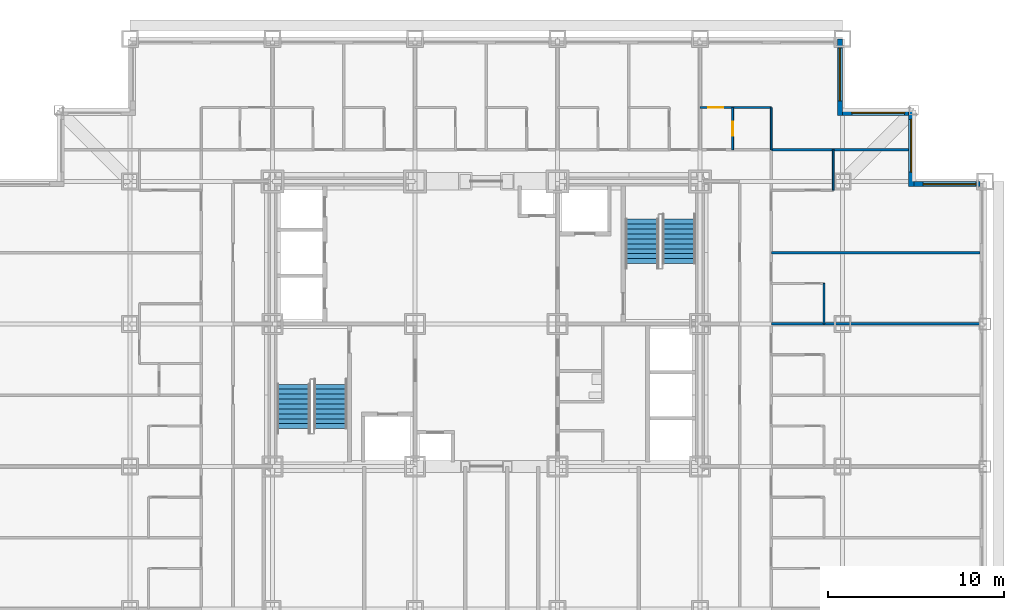
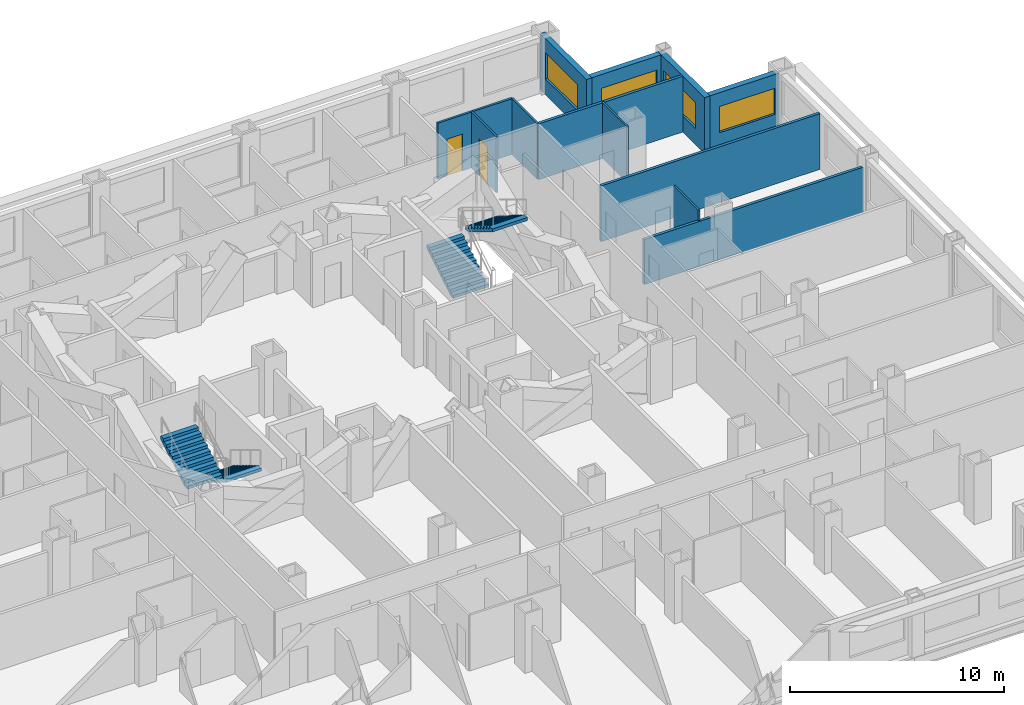
# One storey, part 10 of 12: 12 walls, 4 stair flights, 4 windows, 2 doors, 6 openings, 2 elements without a shape of their own.
"""IFC4 building model written with IfcOpenShell, lengths in metres."""

from ifc_helpers import new_model, si_unit, direction, frame, frame_2d, origin, place, context, subcontext, project, spatial, rectangle, extrude, polygons, source, transform, mapped, material, layer, layer_set, type_object, element, fill, aggregate, save


model = new_model("IFC4")

# Units and contexts
model_context = context("Model", 3, precision=1e-05, world=origin(), true_north=direction((0.0, 1.0)))
body_context = subcontext(model_context, "Body", "Model", "MODEL_VIEW")
ifc_project = project(units=[si_unit("LENGTHUNIT", "METRE"), si_unit("AREAUNIT", "SQUARE_METRE"), si_unit("VOLUMEUNIT", "CUBIC_METRE"), si_unit("PLANEANGLEUNIT", "RADIAN"), si_unit("MASSUNIT", "GRAM", prefix="KILO")], contexts=[model_context])

# Site, building, storey
site_placement = place(None, origin())
site = spatial("IfcSite", under=ifc_project, at=site_placement, CompositionType="ELEMENT")
building_placement = place(site_placement, origin())
building = spatial("IfcBuilding", under=site, at=building_placement, Name="Kopane Lantern Tower", CompositionType="ELEMENT")
storey_placement = place(building_placement, frame((0.0, 0.0, 53.39990234375)))
storey = spatial("IfcBuildingStorey", under=building, at=storey_placement, Name="L12", CompositionType="ELEMENT", Elevation=53.39990234375)

# Wall, opening, door
ifc_material_1 = material(Name="Gypsum board on steel studs", Category="steel")
ifc_layer_1 = layer(ifc_material_1, 0.1201171875)
ifc_layer_set_1 = layer_set([ifc_layer_1], Name="APARTMENT INTERNAL WALL 120")
wall_type_1 = type_object("IfcWallType", Name="APARTMENT INTERNAL WALL 120", PredefinedType="PARTITIONING", material=ifc_layer_set_1)
wall_1_placement = place(storey_placement, frame((40.5, 44.699951171875, 0.0), z_axis=(0.0, 0.0, 1.0), x_axis=(1.0, 0.0, 0.0)))
wall_1 = element("IfcWall", 1, at=wall_1_placement, inside=storey, type_object=wall_type_1, Name="Apartment Internal Wall 120 L12", PredefinedType="PARTITIONING", context=body_context, shape_type="SweptSolid", body=[
    extrude(rectangle(XDim=4.050048828125, YDim=0.1201171875, at=frame_2d((2.02490234375, 0.0))), origin(), (0.0, 0.0, 1.0), 3.190185546875),
])
opening_1_placement = place(wall_1_placement, frame((0.47509765625, 0.0, 0.0)))
opening_1 = element("IfcOpeningElement", 2, at=opening_1_placement, cuts=wall_1, Name="Opening L12-072", PredefinedType="OPENING", context=body_context, shape_type="SweptSolid", body=[
    extrude(rectangle(XDim=0.85009765625, YDim=2.10009765625, at=frame_2d((0.425048828125, 1.050048828125))), frame((0.0, 0.070068359375, 0.0), z_axis=(0.0, -1.0, 0.0), x_axis=(1.0, 0.0, 0.0)), (0.0, 0.0, 1.0), 0.14013671875),
])
ifc_material_2 = material(Name="Timber door set", Category="wood")
door_type_1 = type_object("IfcDoorType", Name="DOOR D4 850x2100", OperationType="SINGLE_SWING_LEFT", PredefinedType="DOOR", material=ifc_material_2)
door_1_placement = place(opening_1_placement, origin())
door_1 = element("IfcDoor", 3, at=door_1_placement, inside=storey, type_object=door_type_1, Name="Door L12-072", OperationType="SINGLE_SWING_LEFT", OverallHeight=2.10009765625, OverallWidth=0.85009765625, PredefinedType="DOOR", context=body_context, shape_type="SweptSolid", body=[
    extrude(rectangle(XDim=0.85009765625, YDim=2.10009765625, at=frame_2d((0.425048828125, 1.050048828125))), frame((0.0, 0.02490234375, 0.0), z_axis=(0.0, -1.0, 0.0), x_axis=(1.0, 0.0, 0.0)), (0.0, 0.0, 1.0), 0.050048828125),
])
fill(opening_1, door_1)

# Walls
ifc_material_3 = material(Name="Moisture-resistant board on steel studs", Category="steel")
ifc_layer_2 = layer(ifc_material_3, 0.10009765625)
ifc_layer_set_2 = layer_set([ifc_layer_2], Name="BATHROOM WALL 100")
wall_type_2 = type_object("IfcWallType", Name="BATHROOM WALL 100", PredefinedType="PARTITIONING", material=ifc_layer_set_2)
for number, where, z_axis, x_axis, name in (
    (4, (47.550048828125, 32.39990234375, 0.0), (0.0, 0.0, 1.0), (0.0, 1.0, 0.0), "Bathroom Wall 100 L12"),
    (5, (48.06494140625, 40.0, 0.0), (0.0, 0.0, 1.0), (0.0, 1.0, 0.0), "Bathroom Wall 100 L12"),
):
    element("IfcWall", number, at=place(storey_placement, frame(where, z_axis=z_axis, x_axis=x_axis)), inside=storey, type_object=wall_type_2, Name=name, PredefinedType="PARTITIONING", context=body_context, shape_type="SweptSolid", body=[
        extrude(rectangle(XDim=2.300048828125, YDim=0.10009765625, at=frame_2d((1.14990234375, 0.0))), origin(), (0.0, 0.0, 1.0), 3.190185546875),
    ])

# Wall, opening, door
wall_2_placement = place(storey_placement, frame((42.35009765625, 42.300048828125, 0.0), z_axis=(0.0, 0.0, 1.0), x_axis=(0.0, 1.0, 0.0)))
wall_2 = element("IfcWall", 6, at=wall_2_placement, inside=storey, type_object=wall_type_2, Name="Bathroom Wall 100 L12", PredefinedType="PARTITIONING", context=body_context, shape_type="SweptSolid", body=[
    extrude(rectangle(XDim=2.39990234375, YDim=0.10009765625, at=frame_2d((1.199951171875, 0.0))), origin(), (0.0, 0.0, 1.0), 3.190185546875),
])
opening_2_placement = place(wall_2_placement, frame((0.800048828125, 0.0, 0.0)))
opening_2 = element("IfcOpeningElement", 7, at=opening_2_placement, cuts=wall_2, Name="Opening L12-070", PredefinedType="OPENING", context=body_context, shape_type="SweptSolid", body=[
    extrude(rectangle(XDim=0.800048828125, YDim=2.10009765625, at=frame_2d((0.39990234375, 1.050048828125))), frame((0.0, 0.06005859375, 0.0), z_axis=(0.0, -1.0, 0.0), x_axis=(1.0, 0.0, 0.0)), (0.0, 0.0, 1.0), 0.1201171875),
])
ifc_material_4 = material(Name="Timber door set", Category="wood")
door_type_2 = type_object("IfcDoorType", Name="DOOR D2 800x2100", OperationType="SINGLE_SWING_LEFT", PredefinedType="DOOR", material=ifc_material_4)
door_2_placement = place(opening_2_placement, origin())
door_2 = element("IfcDoor", 8, at=door_2_placement, inside=storey, type_object=door_type_2, Name="Door L12-070", OperationType="SINGLE_SWING_RIGHT", OverallHeight=2.10009765625, OverallWidth=0.800048828125, PredefinedType="DOOR", context=body_context, shape_type="SweptSolid", body=[
    extrude(rectangle(XDim=0.800048828125, YDim=2.10009765625, at=frame_2d((0.39990234375, 1.050048828125))), frame((0.0, 0.02490234375, 0.0), z_axis=(0.0, -1.0, 0.0), x_axis=(1.0, 0.0, 0.0)), (0.0, 0.0, 1.0), 0.050048828125),
])
fill(opening_2, door_2)

# Walls
wall_3_placement = place(storey_placement, frame((44.550048828125, 42.300048828125, 0.0), z_axis=(0.0, 0.0, 1.0), x_axis=(0.0, 1.0, 0.0)))
element("IfcWall", 9, at=wall_3_placement, inside=storey, type_object=wall_type_2, Name="Bathroom Wall 100 L12", PredefinedType="PARTITIONING", context=body_context, shape_type="SweptSolid", body=[
    extrude(rectangle(XDim=2.39990234375, YDim=0.10009765625, at=frame_2d((1.199951171875, 0.0))), origin(), (0.0, 0.0, 1.0), 3.190185546875),
])
ifc_material_5 = material(Name="Gypsum board on steel studs", Category="steel")
ifc_layer_3 = layer(ifc_material_5, 0.14990234375)
ifc_layer_set_3 = layer_set([ifc_layer_3], Name="DEMISING WALL 150 EI 60")
wall_type_3 = type_object("IfcWallType", Name="DEMISING WALL 150 EI 60", PredefinedType="PARTITIONING", material=ifc_layer_set_3)
wall_4_placement = place(storey_placement, frame((44.550048828125, 32.39990234375, 0.0), z_axis=(0.0, 0.0, 1.0), x_axis=(1.0, 0.0, 0.0)))
element("IfcWall", 10, at=wall_4_placement, inside=storey, type_object=wall_type_3, Name="Demising Wall 150 Ei 60 L12", PredefinedType="PARTITIONING", context=body_context, shape_type="SweptSolid", body=[
    extrude(rectangle(XDim=11.849853515625, YDim=0.14990234375, at=frame_2d((5.9248046875, 0.0))), origin(), (0.0, 0.0, 1.0), 2.577880859375),
])
wall_5_placement = place(storey_placement, frame((44.550048828125, 36.449951171875, 0.0), z_axis=(0.0, 0.0, 1.0), x_axis=(1.0, 0.0, 0.0)))
element("IfcWall", 11, at=wall_5_placement, inside=storey, type_object=wall_type_3, Name="Demising Wall 150 Ei 60 L12", PredefinedType="PARTITIONING", context=body_context, shape_type="SweptSolid", body=[
    extrude(rectangle(XDim=11.849853515625, YDim=0.14990234375, at=frame_2d((5.9248046875, 0.0))), origin(), (0.0, 0.0, 1.0), 3.190185546875),
])
wall_6_placement = place(storey_placement, frame((44.550048828125, 42.300048828125, 0.0), z_axis=(0.0, 0.0, 1.0), x_axis=(1.0, 0.0, 0.0)))
element("IfcWall", 12, at=wall_6_placement, inside=storey, type_object=wall_type_3, Name="Demising Wall 150 Ei 60 L12", PredefinedType="PARTITIONING", context=body_context, shape_type="SweptSolid", body=[
    extrude(rectangle(XDim=7.800048828125, YDim=0.14990234375, at=frame_2d((3.89990234375, 0.0))), origin(), (0.0, 0.0, 1.0), 3.190185546875),
])

# Wall, opening, window
ifc_material_6 = material(Name="Terracotta rainscreen on light steel framing", Category="masonry")
ifc_layer_4 = layer(ifc_material_6, 0.300048828125)
ifc_layer_set_4 = layer_set([ifc_layer_4], Name="EXTERNAL WALL EW1 300 TERRACOTTA")
wall_type_4 = type_object("IfcWallType", Name="EXTERNAL WALL EW1 300 TERRACOTTA", PredefinedType="SOLIDWALL", material=ifc_layer_set_4)
wall_7_placement = place(storey_placement, frame((56.39990234375, 40.35009765625, 0.0), z_axis=(0.0, 0.0, 1.0), x_axis=(-1.0, 0.0, 0.0)))
wall_7 = element("IfcWall", 13, at=wall_7_placement, inside=storey, type_object=wall_type_4, Name="External wall N L12", PredefinedType="SOLIDWALL", context=body_context, shape_type="SweptSolid", body=[
    extrude(rectangle(XDim=3.75, YDim=0.300048828125, at=frame_2d((1.875, 0.0))), origin(), (0.0, 0.0, 1.0), 3.190185546875),
])
opening_3_placement = place(wall_7_placement, frame((0.22509765625, 0.0, 0.89990234375)))
opening_3 = element("IfcOpeningElement", 14, at=opening_3_placement, cuts=wall_7, Name="Opening WR300150", PredefinedType="OPENING", context=body_context, shape_type="SweptSolid", body=[
    extrude(rectangle(XDim=3.0, YDim=1.5, at=frame_2d((1.5, 0.75))), frame((0.0, 0.159912109375, 0.0), z_axis=(0.0, -1.0, 0.0), x_axis=(1.0, 0.0, 0.0)), (0.0, 0.0, 1.0), 0.320068359375),
])
ifc_material_7 = material(Name="Aluminium and clear glass", Category="aluminium")
window_type = type_object("IfcWindowType", Name="RIBBON WINDOW WR300150 3000x1500", PartitioningType="SINGLE_PANEL", PredefinedType="WINDOW", material=ifc_material_7)
window_1_placement = place(opening_3_placement, origin())
window_1 = element("IfcWindow", 15, at=window_1_placement, inside=storey, type_object=window_type, Name="Window N L12", OverallHeight=1.5, OverallWidth=3.0, PartitioningType="SINGLE_PANEL", PredefinedType="WINDOW", context=body_context, shape_type="SweptSolid", body=[
    extrude(rectangle(XDim=3.0, YDim=1.5, at=frame_2d((1.5, 0.75))), frame((0.0, 0.030029296875, 0.0), z_axis=(0.0, -1.0, 0.0), x_axis=(1.0, 0.0, 0.0)), (0.0, 0.0, 1.0), 0.06005859375),
])
fill(opening_3, window_1)

wall_8_placement = place(storey_placement, frame((52.5, 40.199951171875, 0.0), z_axis=(0.0, 0.0, 1.0), x_axis=(0.0, 1.0, 0.0)))
wall_8 = element("IfcWall", 16, at=wall_8_placement, inside=storey, type_object=wall_type_4, Name="External wall E L12", PredefinedType="SOLIDWALL", context=body_context, shape_type="SweptSolid", body=[
    extrude(rectangle(XDim=4.35009765625, YDim=0.300048828125, at=frame_2d((2.175048828125, 0.0))), origin(), (0.0, 0.0, 1.0), 3.190185546875),
])
opening_4_placement = place(wall_8_placement, frame((0.824951171875, 0.0, 0.89990234375)))
opening_4 = element("IfcOpeningElement", 17, at=opening_4_placement, cuts=wall_8, Name="Opening WR300150", PredefinedType="OPENING", context=body_context, shape_type="SweptSolid", body=[
    extrude(rectangle(XDim=3.0, YDim=1.5, at=frame_2d((1.5, 0.75))), frame((0.0, 0.159912109375, 0.0), z_axis=(0.0, -1.0, 0.0), x_axis=(1.0, 0.0, 0.0)), (0.0, 0.0, 1.0), 0.320068359375),
])
window_2_placement = place(opening_4_placement, origin())
window_2 = element("IfcWindow", 18, at=window_2_placement, inside=storey, type_object=window_type, Name="Window E L12", OverallHeight=1.5, OverallWidth=3.0, PartitioningType="SINGLE_PANEL", PredefinedType="WINDOW", context=body_context, shape_type="SweptSolid", body=[
    extrude(rectangle(XDim=3.0, YDim=1.5, at=frame_2d((1.5, 0.75))), frame((0.0, 0.030029296875, 0.0), z_axis=(0.0, -1.0, 0.0), x_axis=(1.0, 0.0, 0.0)), (0.0, 0.0, 1.0), 0.06005859375),
])
fill(opening_4, window_2)

wall_9_placement = place(storey_placement, frame((52.35009765625, 44.39990234375, 0.0), z_axis=(0.0, 0.0, 1.0), x_axis=(-1.0, 0.0, 0.0)))
wall_9 = element("IfcWall", 19, at=wall_9_placement, inside=storey, type_object=wall_type_4, Name="External wall N L12", PredefinedType="SOLIDWALL", context=body_context, shape_type="SweptSolid", body=[
    extrude(rectangle(XDim=3.75, YDim=0.300048828125, at=frame_2d((1.875, 0.0))), origin(), (0.0, 0.0, 1.0), 3.190185546875),
])
opening_5_placement = place(wall_9_placement, frame((0.22509765625, 0.0, 0.89990234375)))
opening_5 = element("IfcOpeningElement", 20, at=opening_5_placement, cuts=wall_9, Name="Opening WR300150", PredefinedType="OPENING", context=body_context, shape_type="SweptSolid", body=[
    extrude(rectangle(XDim=3.0, YDim=1.5, at=frame_2d((1.5, 0.75))), frame((0.0, 0.159912109375, 0.0), z_axis=(0.0, -1.0, 0.0), x_axis=(1.0, 0.0, 0.0)), (0.0, 0.0, 1.0), 0.320068359375),
])
window_3_placement = place(opening_5_placement, origin())
window_3 = element("IfcWindow", 21, at=window_3_placement, inside=storey, type_object=window_type, Name="Window N L12", OverallHeight=1.5, OverallWidth=3.0, PartitioningType="SINGLE_PANEL", PredefinedType="WINDOW", context=body_context, shape_type="SweptSolid", body=[
    extrude(rectangle(XDim=3.0, YDim=1.5, at=frame_2d((1.5, 0.75))), frame((0.0, 0.030029296875, 0.0), z_axis=(0.0, -1.0, 0.0), x_axis=(1.0, 0.0, 0.0)), (0.0, 0.0, 1.0), 0.06005859375),
])
fill(opening_5, window_3)

wall_10_placement = place(storey_placement, frame((48.449951171875, 44.25, 0.0), z_axis=(0.0, 0.0, 1.0), x_axis=(0.0, 1.0, 0.0)))
wall_10 = element("IfcWall", 22, at=wall_10_placement, inside=storey, type_object=wall_type_4, Name="External wall E L12", PredefinedType="SOLIDWALL", context=body_context, shape_type="SweptSolid", body=[
    extrude(rectangle(XDim=4.35009765625, YDim=0.300048828125, at=frame_2d((2.175048828125, 0.0))), origin(), (0.0, 0.0, 1.0), 3.190185546875),
])
opening_6_placement = place(wall_10_placement, frame((0.824951171875, 0.0, 0.89990234375)))
opening_6 = element("IfcOpeningElement", 23, at=opening_6_placement, cuts=wall_10, Name="Opening WR300150", PredefinedType="OPENING", context=body_context, shape_type="SweptSolid", body=[
    extrude(rectangle(XDim=3.0, YDim=1.5, at=frame_2d((1.5, 0.75))), frame((0.0, 0.159912109375, 0.0), z_axis=(0.0, -1.0, 0.0), x_axis=(1.0, 0.0, 0.0)), (0.0, 0.0, 1.0), 0.320068359375),
])
window_4_placement = place(opening_6_placement, origin())
window_4 = element("IfcWindow", 24, at=window_4_placement, inside=storey, type_object=window_type, Name="Window E L12", OverallHeight=1.5, OverallWidth=3.0, PartitioningType="SINGLE_PANEL", PredefinedType="WINDOW", context=body_context, shape_type="SweptSolid", body=[
    extrude(rectangle(XDim=3.0, YDim=1.5, at=frame_2d((1.5, 0.75))), frame((0.0, 0.030029296875, 0.0), z_axis=(0.0, -1.0, 0.0), x_axis=(1.0, 0.0, 0.0)), (0.0, 0.0, 1.0), 0.06005859375),
])
fill(opening_6, window_4)

# Stair, stair flights
ifc_material_8 = material(Name="Steel S355JR", Category="steel")
stair_type = type_object("IfcStairType", Name="EXIT STAIR 1900 HALF TURN", PredefinedType="HALF_TURN_STAIR", material=ifc_material_8)
stair_1_placement = place(storey_placement, origin())
stair_1 = element("IfcStair", 25, at=stair_1_placement, inside=storey, type_object=stair_type, Name="Exit stair ST1 L12", PredefinedType="HALF_TURN_STAIR")
ifc_material_9 = material(Name="Steel S355JR", Category="steel")
stair_flight_type = type_object("IfcStairFlightType", Name="STAIR FLIGHT 1900 STEEL", PredefinedType="STRAIGHT", material=ifc_material_9)
shared_shape = source(origin(), body_context, "Body", "Tessellation", [
    polygons([(2.520019531, 0.949951172, 1.530029297), (2.239990234, 0.949951172, 1.530029297), (2.239990234, -0.949951172, 1.530029297), (2.520019531, -0.949951172, 1.530029297), (0.288818359, 0.949951172, 0.0), (2.520019531, 0.949951172, 1.354736328), (2.520019531, -0.949951172, 1.354736328), (0.288818359, -0.949951172, 0.0), (0.0, 0.949951172, 0.0), (0.0, -0.949951172, 0.0), (0.280029297, 0.949951172, 0.169921875), (0.0, 0.949951172, 0.169921875), (0.0, -0.949951172, 0.169921875), (0.280029297, -0.949951172, 0.169921875), (0.280029297, 0.949951172, 0.340087891), (0.280029297, -0.949951172, 0.340087891), (0.560058594, 0.949951172, 0.340087891), (0.560058594, -0.949951172, 0.340087891), (0.560058594, 0.949951172, 0.510009766), (0.560058594, -0.949951172, 0.510009766), (0.840087891, 0.949951172, 0.510009766), (0.840087891, -0.949951172, 0.510009766), (0.840087891, 0.949951172, 0.679931641), (0.840087891, -0.949951172, 0.679931641), (1.120117188, 0.949951172, 0.679931641), (1.120117188, -0.949951172, 0.679931641), (1.120117188, 0.949951172, 0.850097656), (1.120117188, -0.949951172, 0.850097656), (1.399902344, 0.949951172, 0.850097656), (1.399902344, -0.949951172, 0.850097656), (1.399902344, 0.949951172, 1.020019531), (1.399902344, -0.949951172, 1.020019531), (1.679931641, 0.949951172, 1.020019531), (1.679931641, -0.949951172, 1.020019531), (1.679931641, 0.949951172, 1.189941406), (1.679931641, -0.949951172, 1.189941406), (1.959960938, 0.949951172, 1.189941406), (1.959960938, -0.949951172, 1.189941406), (1.959960938, 0.949951172, 1.360107422), (1.959960938, -0.949951172, 1.360107422), (2.239990234, 0.949951172, 1.360107422), (2.239990234, -0.949951172, 1.360107422), (0.0, 0.0, 0.004592483), (0.0, 0.0, 0.009184966), (0.0, 0.0, 0.013777449), (0.0, 0.0, 0.018369932), (0.0, 0.0, 0.022962416), (0.0, 0.0, 0.027554899), (0.0, 0.0, 0.032147382), (0.0, 0.0, 0.036739865), (0.0, 0.0, 0.041332348), (0.0, 0.0, 0.045924831), (0.0, 0.0, 0.050517314), (0.0, 0.0, 0.055109797), (0.0, 0.0, 0.05970228), (0.0, 0.0, 0.064294764), (0.0, 0.0, 0.068887247), (0.0, 0.0, 0.07347973), (0.0, 0.0, 0.078072213), (0.0, 0.0, 0.082664696), (0.0, 0.0, 0.087257179), (0.0, 0.0, 0.091849662), (0.0, 0.0, 0.096442145), (0.0, 0.0, 0.101034628), (0.0, 0.0, 0.105627111), (0.0, 0.0, 0.110219595), (0.0, 0.0, 0.114812078), (0.0, 0.0, 0.119404561), (0.0, 0.0, 0.123997044), (0.0, 0.0, 0.128589527), (0.0, 0.0, 0.13318201), (0.0, 0.0, 0.137774493), (0.0, 0.0, 0.142366976), (0.0, 0.0, 0.146959459), (0.0, 0.0, 0.151551943), (0.0, 0.0, 0.156144426), (0.0, 0.0, 0.160736909), (0.0, 0.0, 0.165329392), (2.520019531, 0.0, 1.359473976), (2.520019531, 0.0, 1.364211624), (2.520019531, 0.0, 1.368949272), (2.520019531, 0.0, 1.373686919), (2.520019531, 0.0, 1.378424567), (2.520019531, 0.0, 1.383162215), (2.520019531, 0.0, 1.387899863), (2.520019531, 0.0, 1.392637511), (2.520019531, 0.0, 1.397375158), (2.520019531, 0.0, 1.402112806), (2.520019531, 0.0, 1.406850454), (2.520019531, 0.0, 1.411588102), (2.520019531, 0.0, 1.41632575), (2.520019531, 0.0, 1.421063397), (2.520019531, 0.0, 1.425801045), (2.520019531, 0.0, 1.430538693), (2.520019531, 0.0, 1.435276341), (2.520019531, 0.0, 1.440013989), (2.520019531, 0.0, 1.444751636), (2.520019531, 0.0, 1.449489284), (2.520019531, 0.0, 1.454226932), (2.520019531, 0.0, 1.45896458), (2.520019531, 0.0, 1.463702228), (2.520019531, 0.0, 1.468439875), (2.520019531, 0.0, 1.473177523), (2.520019531, 0.0, 1.477915171), (2.520019531, 0.0, 1.482652819), (2.520019531, 0.0, 1.487390467), (2.520019531, 0.0, 1.492128114), (2.520019531, 0.0, 1.496865762), (2.520019531, 0.0, 1.50160341), (2.520019531, 0.0, 1.506341058), (2.520019531, 0.0, 1.511078706), (2.520019531, 0.0, 1.515816353), (2.520019531, 0.0, 1.520554001), (2.520019531, 0.0, 1.525291649)], [[[1, 2, 3]], [[1, 3, 4]], [[5, 6, 7]], [[5, 7, 8]], [[9, 5, 8]], [[9, 8, 10]], [[11, 12, 13]], [[11, 13, 14]], [[15, 11, 14]], [[15, 14, 16]], [[17, 15, 16]], [[17, 16, 18]], [[19, 17, 18]], [[19, 18, 20]], [[21, 19, 20]], [[21, 20, 22]], [[23, 21, 22]], [[23, 22, 24]], [[25, 23, 24]], [[25, 24, 26]], [[27, 25, 26]], [[27, 26, 28]], [[29, 27, 28]], [[29, 28, 30]], [[31, 29, 30]], [[31, 30, 32]], [[33, 31, 32]], [[33, 32, 34]], [[35, 33, 34]], [[35, 34, 36]], [[37, 35, 36]], [[37, 36, 38]], [[39, 37, 38]], [[39, 38, 40]], [[41, 39, 40]], [[41, 40, 42]], [[2, 41, 42]], [[2, 42, 3]], [[41, 1, 6]], [[37, 41, 6]], [[2, 1, 41]], [[33, 37, 6]], [[39, 41, 37]], [[35, 37, 33]], [[31, 33, 29]], [[5, 21, 25]], [[27, 29, 25]], [[17, 21, 5]], [[23, 25, 21]], [[11, 17, 5]], [[19, 21, 17]], [[9, 11, 5]], [[15, 17, 11]], [[12, 11, 9]], [[6, 5, 25]], [[6, 25, 29]], [[6, 29, 33]], [[7, 4, 42]], [[7, 42, 38]], [[42, 4, 3]], [[7, 38, 34]], [[38, 42, 40]], [[34, 38, 36]], [[30, 34, 32]], [[26, 22, 8]], [[26, 30, 28]], [[8, 22, 18]], [[22, 26, 24]], [[8, 18, 14]], [[18, 22, 20]], [[8, 14, 10]], [[14, 18, 16]], [[10, 14, 13]], [[26, 8, 7]], [[30, 26, 7]], [[34, 30, 7]], [[10, 43, 9]], [[10, 44, 43]], [[9, 43, 44]], [[10, 45, 44]], [[9, 44, 45]], [[10, 46, 45]], [[9, 45, 46]], [[10, 47, 46]], [[9, 46, 47]], [[10, 48, 47]], [[9, 47, 48]], [[10, 49, 48]], [[9, 48, 49]], [[10, 50, 49]], [[9, 49, 50]], [[10, 51, 50]], [[9, 50, 51]], [[10, 52, 51]], [[9, 51, 52]], [[10, 53, 52]], [[9, 52, 53]], [[10, 54, 53]], [[9, 53, 54]], [[10, 55, 54]], [[9, 54, 55]], [[10, 56, 55]], [[9, 55, 56]], [[10, 57, 56]], [[9, 56, 57]], [[10, 58, 57]], [[9, 57, 58]], [[10, 59, 58]], [[9, 58, 59]], [[10, 60, 59]], [[9, 59, 60]], [[10, 61, 60]], [[9, 60, 61]], [[10, 62, 61]], [[9, 61, 62]], [[10, 63, 62]], [[9, 62, 63]], [[10, 64, 63]], [[9, 63, 64]], [[10, 65, 64]], [[9, 64, 65]], [[10, 66, 65]], [[9, 65, 66]], [[10, 67, 66]], [[9, 66, 67]], [[10, 68, 67]], [[9, 67, 68]], [[10, 69, 68]], [[9, 68, 69]], [[10, 70, 69]], [[9, 69, 70]], [[10, 71, 70]], [[9, 70, 71]], [[10, 72, 71]], [[9, 71, 72]], [[10, 73, 72]], [[9, 72, 73]], [[10, 74, 73]], [[9, 73, 74]], [[10, 75, 74]], [[9, 74, 75]], [[10, 76, 75]], [[9, 75, 76]], [[10, 77, 76]], [[9, 76, 77]], [[10, 78, 77]], [[9, 77, 78]], [[10, 13, 78]], [[78, 13, 12]], [[9, 78, 12]], [[7, 6, 79]], [[7, 79, 80]], [[6, 80, 79]], [[7, 80, 81]], [[6, 81, 80]], [[7, 81, 82]], [[6, 82, 81]], [[7, 82, 83]], [[6, 83, 82]], [[7, 83, 84]], [[6, 84, 83]], [[7, 84, 85]], [[6, 85, 84]], [[7, 85, 86]], [[6, 86, 85]], [[7, 86, 87]], [[6, 87, 86]], [[7, 87, 88]], [[6, 88, 87]], [[7, 88, 89]], [[6, 89, 88]], [[7, 89, 90]], [[6, 90, 89]], [[7, 90, 91]], [[6, 91, 90]], [[7, 91, 92]], [[6, 92, 91]], [[7, 92, 93]], [[6, 93, 92]], [[7, 93, 94]], [[6, 94, 93]], [[7, 94, 95]], [[6, 95, 94]], [[7, 95, 96]], [[6, 96, 95]], [[7, 96, 97]], [[6, 97, 96]], [[7, 97, 98]], [[6, 98, 97]], [[7, 98, 99]], [[6, 99, 98]], [[7, 99, 100]], [[6, 100, 99]], [[7, 100, 101]], [[6, 101, 100]], [[7, 101, 102]], [[6, 102, 101]], [[7, 102, 103]], [[6, 103, 102]], [[7, 103, 104]], [[6, 104, 103]], [[7, 104, 105]], [[6, 105, 104]], [[7, 105, 106]], [[6, 106, 105]], [[7, 106, 107]], [[6, 107, 106]], [[7, 107, 108]], [[6, 108, 107]], [[7, 108, 109]], [[6, 109, 108]], [[7, 109, 110]], [[6, 110, 109]], [[7, 110, 111]], [[6, 111, 110]], [[7, 111, 112]], [[6, 112, 111]], [[7, 112, 113]], [[6, 113, 112]], [[7, 113, 114]], [[6, 114, 113]], [[7, 114, 4]], [[114, 1, 4]], [[6, 1, 114]]], closed=True),
])
stair_flight_1_placement = place(storey_placement, frame((19.5, 28.969970703125, 0.0), z_axis=(0.0, 0.0, 1.0), x_axis=(0.0, -1.0, 0.0)))
stair_flight_1 = element("IfcStairFlight", 26, at=stair_flight_1_placement, type_object=stair_flight_type, Name="ST1 flight 1", NumberOfRisers=10, NumberOfTreads=9, PredefinedType="STRAIGHT", RiserHeight=0.17, TreadLength=0.28, context=body_context, shape_type="MappedRepresentation", body=[
    mapped(shared_shape, transform((0.0, 0.0, 0.0))),
])
stair_flight_2_placement = place(storey_placement, frame((17.39990234375, 26.449951171875, 1.7001953125), z_axis=(0.0, 0.0, 1.0), x_axis=(0.0, 1.0, 0.0)))
stair_flight_2 = element("IfcStairFlight", 27, at=stair_flight_2_placement, type_object=stair_flight_type, Name="ST1 flight 2", NumberOfRisers=10, NumberOfTreads=9, PredefinedType="STRAIGHT", RiserHeight=0.17, TreadLength=0.28, context=body_context, shape_type="MappedRepresentation", body=[
    mapped(shared_shape, transform((0.0, 0.0, 0.0))),
])
aggregate(stair_1, [stair_flight_1, stair_flight_2])

stair_2_placement = place(storey_placement, origin())
stair_2 = element("IfcStair", 28, at=stair_2_placement, inside=storey, type_object=stair_type, Name="Exit stair ST2 L12", PredefinedType="HALF_TURN_STAIR")
stair_flight_3_placement = place(storey_placement, frame((37.199951171875, 35.830078125, 0.0), z_axis=(0.0, 0.0, 1.0), x_axis=(0.0, 1.0, 0.0)))
stair_flight_3 = element("IfcStairFlight", 29, at=stair_flight_3_placement, type_object=stair_flight_type, Name="ST2 flight 1", NumberOfRisers=10, NumberOfTreads=9, PredefinedType="STRAIGHT", RiserHeight=0.17, TreadLength=0.28, context=body_context, shape_type="MappedRepresentation", body=[
    mapped(shared_shape, transform((0.0, 0.0, 0.0))),
])
stair_flight_4_placement = place(storey_placement, frame((39.300048828125, 38.35009765625, 1.7001953125), z_axis=(0.0, 0.0, 1.0), x_axis=(0.0, -1.0, 0.0)))
stair_flight_4 = element("IfcStairFlight", 30, at=stair_flight_4_placement, type_object=stair_flight_type, Name="ST2 flight 2", NumberOfRisers=10, NumberOfTreads=9, PredefinedType="STRAIGHT", RiserHeight=0.17, TreadLength=0.28, context=body_context, shape_type="MappedRepresentation", body=[
    mapped(shared_shape, transform((0.0, 0.0, 0.0))),
])
aggregate(stair_2, [stair_flight_3, stair_flight_4])

save(model, "model.ifc")
